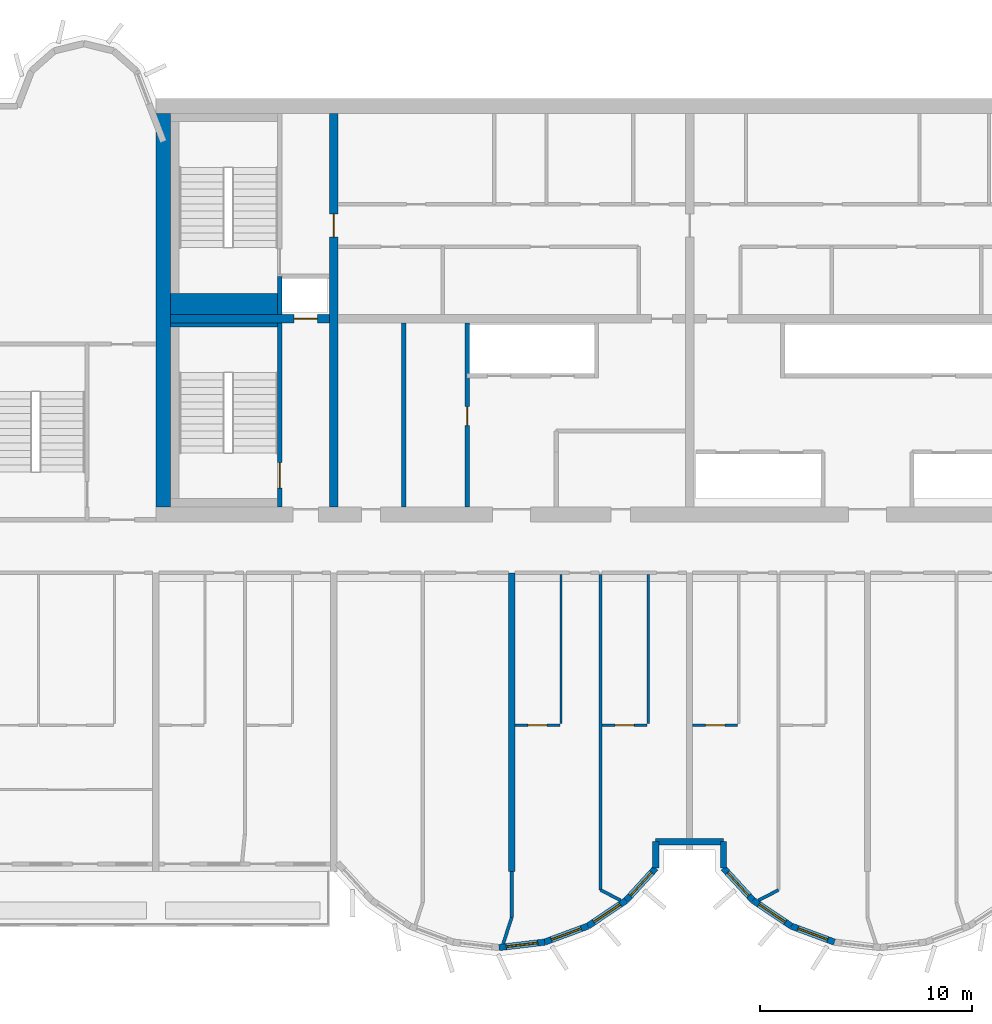
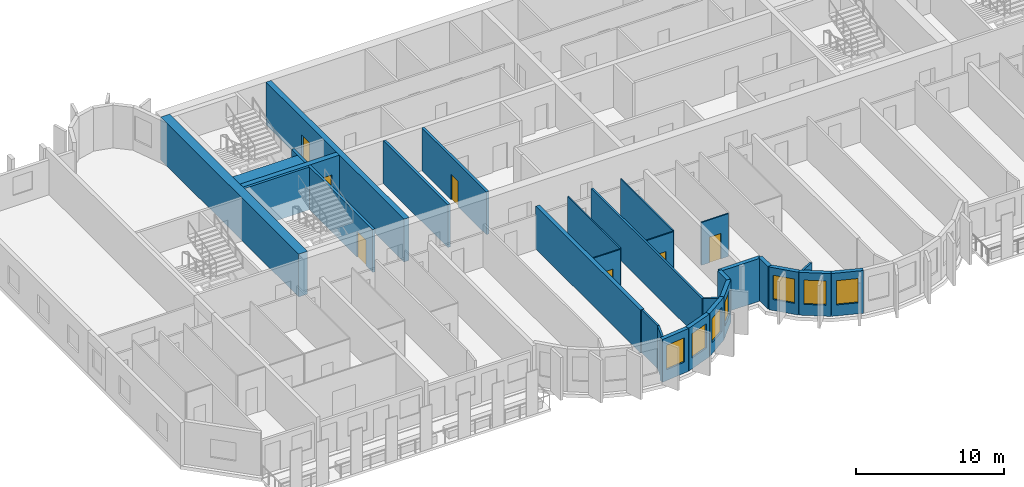
# One storey, part 4 of 13: 30 walls, 7 doors, 7 windows, 14 openings.
"""IFC4 building model written with IfcOpenShell, lengths in metres."""

from ifc_helpers import new_model, si_unit, direction, frame, frame_2d, origin, place, context, subcontext, project, spatial, rectangle, extrude, source, transform, mapped, material, layer, layer_set, type_object, element, fill, save


model = new_model("IFC4")

# Units and contexts
model_context = context("Model", 3, precision=1e-05, world=origin(), true_north=direction((0.0, 1.0)))
body_context = subcontext(model_context, "Body", "Model", "MODEL_VIEW")
ifc_project = project(units=[si_unit("LENGTHUNIT", "METRE"), si_unit("AREAUNIT", "SQUARE_METRE"), si_unit("VOLUMEUNIT", "CUBIC_METRE"), si_unit("PLANEANGLEUNIT", "RADIAN"), si_unit("MASSUNIT", "GRAM", prefix="KILO")], contexts=[model_context])

# Site, building, storey
site_placement = place(None, origin())
site = spatial("IfcSite", under=ifc_project, at=site_placement, CompositionType="ELEMENT")
building_placement = place(site_placement, origin())
building = spatial("IfcBuilding", under=site, at=building_placement, Name="Vanashikhar Sky Hotel", CompositionType="ELEMENT")
storey_placement = place(building_placement, frame((0.0, 0.0, 163.0)))
storey = spatial("IfcBuildingStorey", under=building, at=storey_placement, Name="L39", CompositionType="ELEMENT", Elevation=163.0)

# Wall, opening, door
ifc_material_1 = material(Name="Concrete M60", Category="concrete")
ifc_layer_1 = layer(ifc_material_1, 0.39990234375)
ifc_layer_set_1 = layer_set([ifc_layer_1], Name="RC core inner wall 400 Concrete M60")
wall_type_1 = type_object("IfcWallType", Name="RC core inner wall 400 Concrete M60", PredefinedType="SHEAR", material=ifc_layer_set_1)
shared_shape_1 = source(origin(), body_context, "Body", "SweptSolid", [
    extrude(rectangle(XDim=18.60009765625, YDim=0.39990234375, at=frame_2d((9.300048828125, 0.0))), origin(), (0.0, 0.0, 1.0), 3.52001953125),
])
wall_1_placement = place(storey_placement, frame((33.60009765625, 22.699951171875, 0.0), z_axis=(0.0, 0.0, 1.0), x_axis=(0.0, 1.0, 0.0)))
wall_1 = element("IfcWall", 1, at=wall_1_placement, inside=storey, type_object=wall_type_1, Name="KW-L39-KX1", PredefinedType="SHEAR", context=body_context, shape_type="MappedRepresentation", body=[
    mapped(shared_shape_1, transform((0.0, 0.0, 0.0), scale=1.0)),
])
shared_shape_2 = source(origin(), body_context, "Body", "SweptSolid", [
    extrude(rectangle(XDim=1.10009765625, YDim=2.10009765625, at=frame_2d((0.550048828125, 1.050048828125))), frame((0.0, 0.2099609375, 0.0), z_axis=(0.0, -1.0, 0.0), x_axis=(1.0, 0.0, 0.0)), (0.0, 0.0, 1.0), 0.419921875),
])
opening_1_placement = place(wall_1_placement, frame((12.75, 0.0, 0.0)))
opening_1 = element("IfcOpeningElement", 2, at=opening_1_placement, cuts=wall_1, Name="Opening DC-4-C", PredefinedType="OPENING", context=body_context, shape_type="MappedRepresentation", body=[
    mapped(shared_shape_2, transform((0.0, 0.0, 0.0), scale=1.0)),
])
ifc_material_2 = material(Name="Steel", Category="steel")
door_type_1 = type_object("IfcDoorType", Name="Service door 1100 FD60", OperationType="NOTDEFINED", PredefinedType="DOOR", material=ifc_material_2)
shared_shape_3 = source(origin(), body_context, "Body", "SweptSolid", [
    extrude(rectangle(XDim=1.10009765625, YDim=2.10009765625, at=frame_2d((0.550048828125, 1.050048828125))), frame((0.0, 0.02490234375, 0.0), z_axis=(0.0, -1.0, 0.0), x_axis=(1.0, 0.0, 0.0)), (0.0, 0.0, 1.0), 0.050048828125),
])
door_1_placement = place(opening_1_placement, origin())
door_1 = element("IfcDoor", 3, at=door_1_placement, inside=storey, type_object=door_type_1, Name="Service door 1100 FD60", OperationType="SINGLE_SWING_RIGHT", OverallHeight=2.10009765625, OverallWidth=1.10009765625, PredefinedType="DOOR", context=body_context, shape_type="MappedRepresentation", body=[
    mapped(shared_shape_3, transform((0.0, 0.0, 0.0), scale=1.0)),
])
fill(opening_1, door_1)

# Wall
ifc_layer_2 = layer(ifc_material_1, 0.699951171875)
ifc_layer_set_2 = layer_set([ifc_layer_2], Name="RC core shell wall 700 Concrete M60")
wall_type_2 = type_object("IfcWallType", Name="RC core shell wall 700 Concrete M60", PredefinedType="SHEAR", material=ifc_layer_set_2)
shared_shape_4 = source(origin(), body_context, "Body", "SweptSolid", [
    extrude(rectangle(XDim=18.60009765625, YDim=0.699951171875, at=frame_2d((9.300048828125, 0.0))), origin(), (0.0, 0.0, 1.0), 3.52001953125),
])
wall_2_placement = place(storey_placement, frame((25.550048828125, 22.699951171875, 0.0), z_axis=(0.0, 0.0, 1.0), x_axis=(0.0, 1.0, 0.0)))
element("IfcWall", 4, at=wall_2_placement, inside=storey, type_object=wall_type_2, Name="KW-L39-KW", PredefinedType="SHEAR", context=body_context, shape_type="MappedRepresentation", body=[
    mapped(shared_shape_4, transform((0.0, 0.0, 0.0), scale=1.0)),
])

# Wall, opening, door
shared_shape_5 = source(origin(), body_context, "Body", "SweptSolid", [
    extrude(rectangle(XDim=7.5, YDim=0.39990234375, at=frame_2d((3.75, 0.0))), origin(), (0.0, 0.0, 1.0), 3.52001953125),
])
wall_3_placement = place(storey_placement, frame((25.89990234375, 31.60009765625, 0.0), z_axis=(0.0, 0.0, 1.0), x_axis=(1.0, 0.0, 0.0)))
wall_3 = element("IfcWall", 5, at=wall_3_placement, inside=storey, type_object=wall_type_1, Name="KW-L39-KY1", PredefinedType="SHEAR", context=body_context, shape_type="MappedRepresentation", body=[
    mapped(shared_shape_5, transform((0.0, 0.0, 0.0), scale=1.0)),
])
opening_2_placement = place(wall_3_placement, frame((5.824951171875, 0.0, 0.0)))
opening_2 = element("IfcOpeningElement", 6, at=opening_2_placement, cuts=wall_3, Name="Opening LD", PredefinedType="OPENING", context=body_context, shape_type="MappedRepresentation", body=[
    mapped(shared_shape_2, transform((0.0, 0.0, 0.0), scale=1.0)),
])
ifc_material_3 = material(Name="Stainless steel", Category="steel")
door_type_2 = type_object("IfcDoorType", Name="Lift landing door 1100", OperationType="NOTDEFINED", PredefinedType="DOOR", material=ifc_material_3)
door_2_placement = place(opening_2_placement, origin())
door_2 = element("IfcDoor", 7, at=door_2_placement, inside=storey, type_object=door_type_2, Name="Lift landing door 1100", OperationType="SLIDING_TO_LEFT", OverallHeight=2.10009765625, OverallWidth=1.10009765625, PredefinedType="DOOR", context=body_context, shape_type="MappedRepresentation", body=[
    mapped(shared_shape_3, transform((0.0, 0.0, 0.0), scale=1.0)),
])
fill(opening_2, door_2)

# Wall
ifc_layer_3 = layer(ifc_material_1, 0.300048828125)
ifc_layer_set_3 = layer_set([ifc_layer_3], Name="RC shear wall 300 Concrete M60")
wall_type_3 = type_object("IfcWallType", Name="RC shear wall 300 Concrete M60", PredefinedType="SHEAR", material=ifc_layer_set_3)
shared_shape_6 = source(origin(), body_context, "Body", "SweptSolid", [
    extrude(rectangle(XDim=14.10009765625, YDim=0.300048828125, at=frame_2d((7.050048828125, 0.0))), origin(), (0.0, 0.0, 1.0), 3.52001953125),
])
wall_4_placement = place(storey_placement, frame((42.0, 5.5, 0.0), z_axis=(0.0, 0.0, 1.0), x_axis=(0.0, 1.0, 0.0)))
element("IfcWall", 8, at=wall_4_placement, inside=storey, type_object=wall_type_3, Name="CW-L39-XW06-1", PredefinedType="SHEAR", context=body_context, shape_type="MappedRepresentation", body=[
    mapped(shared_shape_6, transform((0.0, 0.0, 0.0), scale=1.0)),
])

# Wall, opening, window
ifc_material_4 = material(Name="Concrete M50", Category="concrete")
ifc_layer_4 = layer(ifc_material_4, 0.300048828125)
ifc_layer_set_4 = layer_set([ifc_layer_4], Name="Lobe wall 300")
wall_type_4 = type_object("IfcWallType", Name="Lobe wall 300", PredefinedType="SOLIDWALL", material=ifc_layer_set_4)
shared_shape_7 = source(origin(), body_context, "Body", "SweptSolid", [
    extrude(rectangle(XDim=2.17578125, YDim=0.300048828125, at=frame_2d((1.087890625, 0.0))), origin(), (0.0, 0.0, 1.0), 3.52001953125),
])
wall_5_placement = place(storey_placement, frame((45.59912109375, 2.91650390625, 0.0), z_axis=(0.0, 0.0, 1.0), x_axis=(0.829625727223, 0.558319937607, 0.0)))
wall_5 = element("IfcWall", 9, at=wall_5_placement, inside=storey, type_object=wall_type_4, Name="Lobe wall", PredefinedType="SOLIDWALL", context=body_context, shape_type="MappedRepresentation", body=[
    mapped(shared_shape_7, transform((0.0, 0.0, 0.0), scale=1.0)),
])
shared_shape_8 = source(origin(), body_context, "Body", "SweptSolid", [
    extrude(rectangle(XDim=1.5, YDim=2.0, at=frame_2d((0.75, 1.0))), frame((0.0, 0.16015625, 0.0), z_axis=(0.0, -1.0, 0.0), x_axis=(1.0, 0.0, 0.0)), (0.0, 0.0, 1.0), 0.320068359375),
])
opening_3_placement = place(wall_5_placement, frame((0.337890625, 0.0, 0.89990234375)))
opening_3 = element("IfcOpeningElement", 10, at=opening_3_placement, cuts=wall_5, Name="Opening WN-2", PredefinedType="OPENING", context=body_context, shape_type="MappedRepresentation", body=[
    mapped(shared_shape_8, transform((0.0, 0.0, 0.0), scale=1.0)),
])
ifc_material_5 = material(Name="Glass", Category="glass")
window_type = type_object("IfcWindowType", Name="Lobe window 1500 x 2000", PartitioningType="SINGLE_PANEL", PredefinedType="WINDOW", material=ifc_material_5)
shared_shape_9 = source(origin(), body_context, "Body", "SweptSolid", [
    extrude(rectangle(XDim=1.5, YDim=2.0, at=frame_2d((0.75, 1.0))), frame((0.0, 0.030029296875, 0.0), z_axis=(0.0, -1.0, 0.0), x_axis=(1.0, 0.0, 0.0)), (0.0, 0.0, 1.0), 0.06005859375),
])
window_1_placement = place(opening_3_placement, origin())
window_1 = element("IfcWindow", 11, at=window_1_placement, inside=storey, type_object=window_type, Name="Window WN-2", OverallHeight=2.0, OverallWidth=1.5, PartitioningType="SINGLE_PANEL", PredefinedType="WINDOW", context=body_context, shape_type="MappedRepresentation", body=[
    mapped(shared_shape_9, transform((0.0, 0.0, 0.0), scale=1.0)),
])
fill(opening_3, window_1)

wall_6_placement = place(storey_placement, frame((53.395751953125, 4.13134765625, 0.0), z_axis=(0.0, 0.0, 1.0), x_axis=(0.829590746428, -0.558371913192, 0.0)))
wall_6 = element("IfcWall", 12, at=wall_6_placement, inside=storey, type_object=wall_type_4, Name="Lobe wall", PredefinedType="SOLIDWALL", context=body_context, shape_type="MappedRepresentation", body=[
    mapped(shared_shape_7, transform((0.0, 0.0, 0.0), scale=1.0)),
])
opening_4_placement = place(wall_6_placement, frame((0.337890625, 0.0, 0.89990234375)))
opening_4 = element("IfcOpeningElement", 13, at=opening_4_placement, cuts=wall_6, Name="Opening WN-2", PredefinedType="OPENING", context=body_context, shape_type="MappedRepresentation", body=[
    mapped(shared_shape_8, transform((0.0, 0.0, 0.0), scale=1.0)),
])
window_2_placement = place(opening_4_placement, origin())
window_2 = element("IfcWindow", 14, at=window_2_placement, inside=storey, type_object=window_type, Name="Window WN-2", OverallHeight=2.0, OverallWidth=1.5, PartitioningType="SINGLE_PANEL", PredefinedType="WINDOW", context=body_context, shape_type="MappedRepresentation", body=[
    mapped(shared_shape_9, transform((0.0, 0.0, 0.0), scale=1.0)),
])
fill(opening_4, window_2)

wall_7_placement = place(storey_placement, frame((55.20068359375, 2.91650390625, 0.0), z_axis=(0.0, 0.0, 1.0), x_axis=(0.93754555999, -0.347862505801, 0.0)))
wall_7 = element("IfcWall", 15, at=wall_7_placement, inside=storey, type_object=wall_type_4, Name="Lobe wall", PredefinedType="SOLIDWALL", context=body_context, shape_type="MappedRepresentation", body=[
    mapped(shared_shape_7, transform((0.0, 0.0, 0.0), scale=1.0)),
])
opening_5_placement = place(wall_7_placement, frame((0.337890625, 0.0, 0.89990234375)))
opening_5 = element("IfcOpeningElement", 16, at=opening_5_placement, cuts=wall_7, Name="Opening WN-2", PredefinedType="OPENING", context=body_context, shape_type="MappedRepresentation", body=[
    mapped(shared_shape_8, transform((0.0, 0.0, 0.0), scale=1.0)),
])
window_3_placement = place(opening_5_placement, origin())
window_3 = element("IfcWindow", 17, at=window_3_placement, inside=storey, type_object=window_type, Name="Window WN-2", OverallHeight=2.0, OverallWidth=1.5, PartitioningType="SINGLE_PANEL", PredefinedType="WINDOW", context=body_context, shape_type="MappedRepresentation", body=[
    mapped(shared_shape_9, transform((0.0, 0.0, 0.0), scale=1.0)),
])
fill(opening_5, window_3)

shared_shape_10 = source(origin(), body_context, "Body", "SweptSolid", [
    extrude(rectangle(XDim=2.1748046875, YDim=0.300048828125, at=frame_2d((1.08740234375, 0.0))), origin(), (0.0, 0.0, 1.0), 3.52001953125),
])
wall_8_placement = place(storey_placement, frame((41.39990234375, 1.90283203125, 0.0), z_axis=(0.0, 0.0, 1.0), x_axis=(0.993002698611, 0.118091661648, 0.0)))
wall_8 = element("IfcWall", 18, at=wall_8_placement, inside=storey, type_object=wall_type_4, Name="Lobe wall", PredefinedType="SOLIDWALL", context=body_context, shape_type="MappedRepresentation", body=[
    mapped(shared_shape_10, transform((0.0, 0.0, 0.0), scale=1.0)),
])
opening_6_placement = place(wall_8_placement, frame((0.33740234375, 0.0, 0.89990234375)))
opening_6 = element("IfcOpeningElement", 19, at=opening_6_placement, cuts=wall_8, Name="Opening WN-2", PredefinedType="OPENING", context=body_context, shape_type="MappedRepresentation", body=[
    mapped(shared_shape_8, transform((0.0, 0.0, 0.0), scale=1.0)),
])
window_4_placement = place(opening_6_placement, origin())
window_4 = element("IfcWindow", 20, at=window_4_placement, inside=storey, type_object=window_type, Name="Window WN-2", OverallHeight=2.0, OverallWidth=1.5, PartitioningType="SINGLE_PANEL", PredefinedType="WINDOW", context=body_context, shape_type="MappedRepresentation", body=[
    mapped(shared_shape_9, transform((0.0, 0.0, 0.0), scale=1.0)),
])
fill(opening_6, window_4)

shared_shape_11 = source(origin(), body_context, "Body", "SweptSolid", [
    extrude(rectangle(XDim=2.175537109375, YDim=0.300048828125, at=frame_2d((1.087890625, 0.0))), origin(), (0.0, 0.0, 1.0), 3.52001953125),
])
wall_9_placement = place(storey_placement, frame((43.5595703125, 2.15966796875, 0.0), z_axis=(0.0, 0.0, 1.0), x_axis=(0.937531979054, 0.347899106424, 0.0)))
wall_9 = element("IfcWall", 21, at=wall_9_placement, inside=storey, type_object=wall_type_4, Name="Lobe wall", PredefinedType="SOLIDWALL", context=body_context, shape_type="MappedRepresentation", body=[
    mapped(shared_shape_11, transform((0.0, 0.0, 0.0), scale=1.0)),
])
opening_7_placement = place(wall_9_placement, frame((0.337890625, 0.0, 0.89990234375)))
opening_7 = element("IfcOpeningElement", 22, at=opening_7_placement, cuts=wall_9, Name="Opening WN-2", PredefinedType="OPENING", context=body_context, shape_type="MappedRepresentation", body=[
    mapped(shared_shape_8, transform((0.0, 0.0, 0.0), scale=1.0)),
])
window_5_placement = place(opening_7_placement, origin())
window_5 = element("IfcWindow", 23, at=window_5_placement, inside=storey, type_object=window_type, Name="Window WN-2", OverallHeight=2.0, OverallWidth=1.5, PartitioningType="SINGLE_PANEL", PredefinedType="WINDOW", context=body_context, shape_type="MappedRepresentation", body=[
    mapped(shared_shape_9, transform((0.0, 0.0, 0.0), scale=1.0)),
])
fill(opening_7, window_5)

shared_shape_12 = source(origin(), body_context, "Body", "SweptSolid", [
    extrude(rectangle(XDim=2.066650390625, YDim=0.300048828125, at=frame_2d((1.033203125, 0.0))), origin(), (0.0, 0.0, 1.0), 3.52001953125),
])
wall_10_placement = place(storey_placement, frame((47.404296875, 4.13134765625, 0.0), z_axis=(0.0, 0.0, 1.0), x_axis=(0.675355439877, 0.737492393065, 0.0)))
wall_10 = element("IfcWall", 24, at=wall_10_placement, inside=storey, type_object=wall_type_4, Name="Lobe wall", PredefinedType="SOLIDWALL", context=body_context, shape_type="MappedRepresentation", body=[
    mapped(shared_shape_12, transform((0.0, 0.0, 0.0), scale=1.0)),
])
opening_8_placement = place(wall_10_placement, frame((0.283447265625, 0.0, 0.89990234375)))
opening_8 = element("IfcOpeningElement", 25, at=opening_8_placement, cuts=wall_10, Name="Opening WN-2", PredefinedType="OPENING", context=body_context, shape_type="MappedRepresentation", body=[
    mapped(shared_shape_8, transform((0.0, 0.0, 0.0), scale=1.0)),
])
window_6_placement = place(opening_8_placement, origin())
window_6 = element("IfcWindow", 26, at=window_6_placement, inside=storey, type_object=window_type, Name="Window WN-2", OverallHeight=2.0, OverallWidth=1.5, PartitioningType="SINGLE_PANEL", PredefinedType="WINDOW", context=body_context, shape_type="MappedRepresentation", body=[
    mapped(shared_shape_9, transform((0.0, 0.0, 0.0), scale=1.0)),
])
fill(opening_8, window_6)

wall_11_placement = place(storey_placement, frame((52.0, 5.655517578125, 0.0), z_axis=(0.0, 0.0, 1.0), x_axis=(0.675355439877, -0.737492393065, 0.0)))
wall_11 = element("IfcWall", 27, at=wall_11_placement, inside=storey, type_object=wall_type_4, Name="Lobe wall", PredefinedType="SOLIDWALL", context=body_context, shape_type="MappedRepresentation", body=[
    mapped(shared_shape_12, transform((0.0, 0.0, 0.0), scale=1.0)),
])
opening_9_placement = place(wall_11_placement, frame((0.283447265625, 0.0, 0.89990234375)))
opening_9 = element("IfcOpeningElement", 28, at=opening_9_placement, cuts=wall_11, Name="Opening WN-2", PredefinedType="OPENING", context=body_context, shape_type="MappedRepresentation", body=[
    mapped(shared_shape_8, transform((0.0, 0.0, 0.0), scale=1.0)),
])
window_7_placement = place(opening_9_placement, origin())
window_7 = element("IfcWindow", 29, at=window_7_placement, inside=storey, type_object=window_type, Name="Window WN-2", OverallHeight=2.0, OverallWidth=1.5, PartitioningType="SINGLE_PANEL", PredefinedType="WINDOW", context=body_context, shape_type="MappedRepresentation", body=[
    mapped(shared_shape_9, transform((0.0, 0.0, 0.0), scale=1.0)),
])
fill(opening_9, window_7)

# Walls
shared_shape_13 = source(origin(), body_context, "Body", "SweptSolid", [
    extrude(rectangle(XDim=1.244384765625, YDim=0.300048828125, at=frame_2d((0.6220703125, 0.0))), origin(), (0.0, 0.0, 1.0), 3.52001953125),
])
for number, where, z_axis, x_axis, name in (
    (30, (48.800048828125, 5.655517578125, 0.0), (0.0, 0.0, 1.0), (0.0, 1.0, 0.0), "Groove wall"),
    (31, (52.0, 6.89990234375, 0.0), (0.0, 0.0, 1.0), (0.0, -1.0, 0.0), "Groove wall"),
):
    element("IfcWall", number, at=place(storey_placement, frame(where, z_axis=z_axis, x_axis=x_axis)), inside=storey, type_object=wall_type_4, Name=name, PredefinedType="SOLIDWALL", context=body_context, shape_type="MappedRepresentation", body=[
        mapped(shared_shape_13, transform((0.0, 0.0, 0.0), scale=1.0)),
    ])
shared_shape_14 = source(origin(), body_context, "Body", "SweptSolid", [
    extrude(rectangle(XDim=3.199951171875, YDim=0.300048828125, at=frame_2d((1.60009765625, 0.0))), origin(), (0.0, 0.0, 1.0), 3.52001953125),
])
wall_12_placement = place(storey_placement, frame((48.800048828125, 6.89990234375, 0.0), z_axis=(0.0, 0.0, 1.0), x_axis=(1.0, 0.0, 0.0)))
element("IfcWall", 32, at=wall_12_placement, inside=storey, type_object=wall_type_4, Name="Groove wall", PredefinedType="SOLIDWALL", context=body_context, shape_type="MappedRepresentation", body=[
    mapped(shared_shape_14, transform((0.0, 0.0, 0.0), scale=1.0)),
])

# Wall, opening, door
ifc_material_6 = material(Name="Gypsum board partition")
ifc_layer_5 = layer(ifc_material_6, 0.14990234375)
ifc_layer_set_5 = layer_set([ifc_layer_5], Name="Service partition 150")
wall_type_5 = type_object("IfcWallType", Name="Service partition 150", PredefinedType="PARTITIONING", material=ifc_layer_set_5)
shared_shape_15 = source(origin(), body_context, "Body", "SweptSolid", [
    extrude(rectangle(XDim=8.699951171875, YDim=0.199951171875, at=frame_2d((4.35009765625, 0.0))), origin(), (0.0, 0.0, 1.0), 3.52001953125),
])
wall_13_placement = place(storey_placement, frame((39.89990234375, 22.699951171875, 0.0), z_axis=(0.0, 0.0, 1.0), x_axis=(0.0, 1.0, 0.0)))
wall_13 = element("IfcWall", 33, at=wall_13_placement, inside=storey, type_object=wall_type_5, Name="Service partition 150", PredefinedType="PARTITIONING", context=body_context, shape_type="MappedRepresentation", body=[
    mapped(shared_shape_15, transform((0.0, 0.0, 0.0), scale=1.0)),
])
shared_shape_16 = source(origin(), body_context, "Body", "SweptSolid", [
    extrude(rectangle(XDim=0.89990234375, YDim=2.10009765625, at=frame_2d((0.449951171875, 1.050048828125))), frame((0.0, 0.10986328125, 0.0), z_axis=(0.0, -1.0, 0.0), x_axis=(1.0, 0.0, 0.0)), (0.0, 0.0, 1.0), 0.219970703125),
])
opening_10_placement = place(wall_13_placement, frame((3.85009765625, 0.0, 0.0)))
opening_10 = element("IfcOpeningElement", 34, at=opening_10_placement, cuts=wall_13, Name="Opening DC-4-A", PredefinedType="OPENING", context=body_context, shape_type="MappedRepresentation", body=[
    mapped(shared_shape_16, transform((0.0, 0.0, 0.0), scale=1.0)),
])
door_type_3 = type_object("IfcDoorType", Name="Service door 900 FD60", OperationType="NOTDEFINED", PredefinedType="DOOR", material=ifc_material_2)
shared_shape_17 = source(origin(), body_context, "Body", "SweptSolid", [
    extrude(rectangle(XDim=0.89990234375, YDim=2.10009765625, at=frame_2d((0.449951171875, 1.050048828125))), frame((0.0, 0.02490234375, 0.0), z_axis=(0.0, -1.0, 0.0), x_axis=(1.0, 0.0, 0.0)), (0.0, 0.0, 1.0), 0.050048828125),
])
door_3_placement = place(opening_10_placement, origin())
door_3 = element("IfcDoor", 35, at=door_3_placement, inside=storey, type_object=door_type_3, Name="Service door 900 FD60", OperationType="SINGLE_SWING_LEFT", OverallHeight=2.10009765625, OverallWidth=0.89990234375, PredefinedType="DOOR", context=body_context, shape_type="MappedRepresentation", body=[
    mapped(shared_shape_17, transform((0.0, 0.0, 0.0), scale=1.0)),
])
fill(opening_10, door_3)

# Wall
wall_14_placement = place(storey_placement, frame((36.89990234375, 22.699951171875, 0.0), z_axis=(0.0, 0.0, 1.0), x_axis=(0.0, 1.0, 0.0)))
element("IfcWall", 36, at=wall_14_placement, inside=storey, type_object=wall_type_5, Name="Service partition 150", PredefinedType="PARTITIONING", context=body_context, shape_type="MappedRepresentation", body=[
    mapped(shared_shape_15, transform((0.0, 0.0, 0.0), scale=1.0)),
])

# Wall, opening, door
ifc_layer_6 = layer(ifc_material_4, 0.199951171875)
ifc_layer_set_6 = layer_set([ifc_layer_6], Name="Stair wall 200")
wall_type_6 = type_object("IfcWallType", Name="Stair wall 200", PredefinedType="SOLIDWALL", material=ifc_layer_set_6)
shared_shape_18 = source(origin(), body_context, "Body", "SweptSolid", [
    extrude(rectangle(XDim=8.699951171875, YDim=0.199951171875, at=frame_2d((4.35009765625, 0.0))), origin(), (0.0, 0.0, 1.0), 3.52001953125),
])
wall_15_placement = place(storey_placement, frame((31.050048828125, 22.699951171875, 0.0), z_axis=(0.0, 0.0, 1.0), x_axis=(0.0, 1.0, 0.0)))
wall_15 = element("IfcWall", 37, at=wall_15_placement, inside=storey, type_object=wall_type_6, Name="Stair wall 200", PredefinedType="SOLIDWALL", context=body_context, shape_type="MappedRepresentation", body=[
    mapped(shared_shape_18, transform((0.0, 0.0, 0.0), scale=1.0)),
])
shared_shape_19 = source(origin(), body_context, "Body", "SweptSolid", [
    extrude(rectangle(XDim=1.199951171875, YDim=2.10009765625, at=frame_2d((0.60009765625, 1.050048828125))), frame((0.0, 0.10986328125, 0.0), z_axis=(0.0, -1.0, 0.0), x_axis=(1.0, 0.0, 0.0)), (0.0, 0.0, 1.0), 0.219970703125),
])
opening_11_placement = place(wall_15_placement, frame((0.89990234375, 0.0, 0.0)))
opening_11 = element("IfcOpeningElement", 38, at=opening_11_placement, cuts=wall_15, Name="Opening DC-1", PredefinedType="OPENING", context=body_context, shape_type="MappedRepresentation", body=[
    mapped(shared_shape_19, transform((0.0, 0.0, 0.0), scale=1.0)),
])
door_type_4 = type_object("IfcDoorType", Name="Stair door 1200 FD120", OperationType="NOTDEFINED", PredefinedType="DOOR", material=ifc_material_2)
shared_shape_20 = source(origin(), body_context, "Body", "SweptSolid", [
    extrude(rectangle(XDim=1.199951171875, YDim=2.10009765625, at=frame_2d((0.60009765625, 1.050048828125))), frame((0.0, 0.02490234375, 0.0), z_axis=(0.0, -1.0, 0.0), x_axis=(1.0, 0.0, 0.0)), (0.0, 0.0, 1.0), 0.050048828125),
])
door_4_placement = place(opening_11_placement, origin())
door_4 = element("IfcDoor", 39, at=door_4_placement, inside=storey, type_object=door_type_4, Name="Stair door 1200 FD120", OperationType="SINGLE_SWING_LEFT", OverallHeight=2.10009765625, OverallWidth=1.199951171875, PredefinedType="DOOR", context=body_context, shape_type="MappedRepresentation", body=[
    mapped(shared_shape_20, transform((0.0, 0.0, 0.0), scale=1.0)),
])
fill(opening_11, door_4)

# Walls
ifc_material_7 = material(Name="Concrete M40", Category="concrete")
ifc_layer_7 = layer(ifc_material_7, 0.199951171875)
ifc_layer_set_7 = layer_set([ifc_layer_7], Name="Shaft wall 200")
wall_type_7 = type_object("IfcWallType", Name="Shaft wall 200", PredefinedType="SOLIDWALL", material=ifc_layer_set_7)
shared_shape_21 = source(origin(), body_context, "Body", "SweptSolid", [
    extrude(rectangle(XDim=1.800048828125, YDim=0.199951171875, at=frame_2d((0.89990234375, 0.0))), origin(), (0.0, 0.0, 1.0), 3.52001953125),
])
wall_16_placement = place(storey_placement, frame((31.050048828125, 31.800048828125, 0.0), z_axis=(0.0, 0.0, 1.0), x_axis=(0.0, 1.0, 0.0)))
element("IfcWall", 40, at=wall_16_placement, inside=storey, type_object=wall_type_7, Name="Shaft wall 200", PredefinedType="SOLIDWALL", context=body_context, shape_type="MappedRepresentation", body=[
    mapped(shared_shape_21, transform((0.0, 0.0, 0.0), scale=1.0)),
])
ifc_layer_8 = layer(ifc_material_4, 0.199951171875)
ifc_layer_set_8 = layer_set([ifc_layer_8], Name="Stair infill wall 200")
wall_type_8 = type_object("IfcWallType", Name="Stair infill wall 200", PredefinedType="SOLIDWALL", material=ifc_layer_set_8)
shared_shape_22 = source(origin(), body_context, "Body", "SweptSolid", [
    extrude(rectangle(XDim=5.050048828125, YDim=0.199951171875, at=frame_2d((2.52490234375, 0.0))), origin(), (0.0, 0.0, 1.0), 3.52001953125),
])
wall_17_placement = place(storey_placement, frame((25.89990234375, 31.300048828125, 0.0), z_axis=(0.0, 0.0, 1.0), x_axis=(1.0, 0.0, 0.0)))
element("IfcWall", 41, at=wall_17_placement, inside=storey, type_object=wall_type_8, Name="Stair infill wall 200", PredefinedType="SOLIDWALL", context=body_context, shape_type="MappedRepresentation", body=[
    mapped(shared_shape_22, transform((0.0, 0.0, 0.0), scale=1.0)),
])
ifc_layer_9 = layer(ifc_material_4, 1.0)
ifc_layer_set_9 = layer_set([ifc_layer_9], Name="Stair infill wall 1000")
wall_type_9 = type_object("IfcWallType", Name="Stair infill wall 1000", PredefinedType="SOLIDWALL", material=ifc_layer_set_9)
shared_shape_23 = source(origin(), body_context, "Body", "SweptSolid", [
    extrude(rectangle(XDim=5.050048828125, YDim=1.0, at=frame_2d((2.52490234375, 0.0))), origin(), (0.0, 0.0, 1.0), 3.52001953125),
])
wall_18_placement = place(storey_placement, frame((25.89990234375, 32.300048828125, 0.0), z_axis=(0.0, 0.0, 1.0), x_axis=(1.0, 0.0, 0.0)))
element("IfcWall", 42, at=wall_18_placement, inside=storey, type_object=wall_type_9, Name="Stair infill wall 1000", PredefinedType="SOLIDWALL", context=body_context, shape_type="MappedRepresentation", body=[
    mapped(shared_shape_23, transform((0.0, 0.0, 0.0), scale=1.0)),
])
ifc_material_8 = material(Name="Gypsum plasterboard partition")
ifc_layer_10 = layer(ifc_material_8, 0.10009765625)
ifc_layer_set_10 = layer_set([ifc_layer_10], Name="Wet room partition 100")
wall_type_10 = type_object("IfcWallType", Name="Wet room partition 100", PredefinedType="PARTITIONING", material=ifc_layer_set_10)
shared_shape_24 = source(origin(), body_context, "Body", "SweptSolid", [
    extrude(rectangle(XDim=7.0498046875, YDim=0.10009765625, at=frame_2d((3.52490234375, 0.0))), origin(), (0.0, 0.0, 1.0), 3.52001953125),
])
for number, where, z_axis, x_axis, name in (
    (43, (44.324951171875, 12.47509765625, 0.0), (0.0, 0.0, 1.0), (0.0, 1.0, 0.0), "W-L39-PW024"),
    (44, (48.449951171875, 12.47509765625, 0.0), (0.0, 0.0, 1.0), (0.0, 1.0, 0.0), "W-L39-PW027"),
):
    element("IfcWall", number, at=place(storey_placement, frame(where, z_axis=z_axis, x_axis=x_axis)), inside=storey, type_object=wall_type_10, Name=name, PredefinedType="PARTITIONING", context=body_context, shape_type="MappedRepresentation", body=[
        mapped(shared_shape_24, transform((0.0, 0.0, 0.0), scale=1.0)),
    ])
ifc_layer_11 = layer(ifc_material_8, 0.14990234375)
ifc_layer_set_11 = layer_set([ifc_layer_11], Name="Corridor and demising partition 150")
wall_type_11 = type_object("IfcWallType", Name="Corridor and demising partition 150", PredefinedType="PARTITIONING", material=ifc_layer_set_11)
shared_shape_25 = source(origin(), body_context, "Body", "SweptSolid", [
    extrude(rectangle(XDim=2.177978515625, YDim=0.14990234375, at=frame_2d((1.0888671875, 0.0))), origin(), (0.0, 0.0, 1.0), 3.52001953125),
])
wall_19_placement = place(storey_placement, frame((42.0, 3.322021484375, 0.0), z_axis=(0.0, 0.0, 1.0), x_axis=(0.0, 1.0, 0.0)))
element("IfcWall", 45, at=wall_19_placement, inside=storey, type_object=wall_type_11, Name="W-L39-PW057", PredefinedType="PARTITIONING", context=body_context, shape_type="MappedRepresentation", body=[
    mapped(shared_shape_25, transform((0.0, 0.0, 0.0), scale=1.0)),
])
shared_shape_26 = source(origin(), body_context, "Body", "SweptSolid", [
    extrude(rectangle(XDim=1.0576171875, YDim=0.14990234375, at=frame_2d((0.52880859375, 0.0))), origin(), (0.0, 0.0, 1.0), 3.52001953125),
])
wall_20_placement = place(storey_placement, frame((47.139892578125, 4.134033203125, 0.0), z_axis=(0.0, 0.0, 1.0), x_axis=(-0.888723819054, 0.458442988218, 0.0)))
element("IfcWall", 46, at=wall_20_placement, inside=storey, type_object=wall_type_11, Name="W-L39-PW030B0", PredefinedType="PARTITIONING", context=body_context, shape_type="MappedRepresentation", body=[
    mapped(shared_shape_26, transform((0.0, 0.0, 0.0), scale=1.0)),
])
shared_shape_27 = source(origin(), body_context, "Body", "SweptSolid", [
    extrude(rectangle(XDim=1.057861328125, YDim=0.14990234375, at=frame_2d((0.52880859375, 0.0))), origin(), (0.0, 0.0, 1.0), 3.52001953125),
])
wall_21_placement = place(storey_placement, frame((53.659912109375, 4.134033203125, 0.0), z_axis=(0.0, 0.0, 1.0), x_axis=(0.888772319209, 0.458348955063, 0.0)))
element("IfcWall", 47, at=wall_21_placement, inside=storey, type_object=wall_type_11, Name="W-L39-PW037B0", PredefinedType="PARTITIONING", context=body_context, shape_type="MappedRepresentation", body=[
    mapped(shared_shape_27, transform((0.0, 0.0, 0.0), scale=1.0)),
])
shared_shape_28 = source(origin(), body_context, "Body", "SweptSolid", [
    extrude(rectangle(XDim=1.308349609375, YDim=0.14990234375, at=frame_2d((0.654296875, 0.0))), origin(), (0.0, 0.0, 1.0), 3.52001953125),
])
wall_22_placement = place(storey_placement, frame((41.597900390625, 2.076904296875, 0.0), z_axis=(0.0, 0.0, 1.0), x_axis=(0.307313512187, 0.951608325535, 0.0)))
element("IfcWall", 48, at=wall_22_placement, inside=storey, type_object=wall_type_11, Name="W-L39-PW057B0", PredefinedType="PARTITIONING", context=body_context, shape_type="MappedRepresentation", body=[
    mapped(shared_shape_28, transform((0.0, 0.0, 0.0), scale=1.0)),
])
shared_shape_29 = source(origin(), body_context, "Body", "SweptSolid", [
    extrude(rectangle(XDim=14.906005859375, YDim=0.14990234375, at=frame_2d((7.453125, 0.0))), origin(), (0.0, 0.0, 1.0), 3.52001953125),
])
wall_23_placement = place(storey_placement, frame((46.199951171875, 4.618896484375, 0.0), z_axis=(0.0, 0.0, 1.0), x_axis=(0.0, 1.0, 0.0)))
element("IfcWall", 49, at=wall_23_placement, inside=storey, type_object=wall_type_11, Name="W-L39-PW030", PredefinedType="PARTITIONING", context=body_context, shape_type="MappedRepresentation", body=[
    mapped(shared_shape_29, transform((0.0, 0.0, 0.0), scale=1.0)),
])

# Wall, opening, door
shared_shape_30 = source(origin(), body_context, "Body", "SweptSolid", [
    extrude(rectangle(XDim=2.125, YDim=0.10009765625, at=frame_2d((1.0625, 0.0))), origin(), (0.0, 0.0, 1.0), 3.52001953125),
])
wall_24_placement = place(storey_placement, frame((42.14990234375, 12.39990234375, 0.0), z_axis=(0.0, 0.0, 1.0), x_axis=(1.0, 0.0, 0.0)))
wall_24 = element("IfcWall", 50, at=wall_24_placement, inside=storey, type_object=wall_type_10, Name="W-L39-PW025", PredefinedType="PARTITIONING", context=body_context, shape_type="MappedRepresentation", body=[
    mapped(shared_shape_30, transform((0.0, 0.0, 0.0), scale=1.0)),
])
shared_shape_31 = source(origin(), body_context, "Body", "SweptSolid", [
    extrude(rectangle(XDim=0.89990234375, YDim=2.10009765625, at=frame_2d((0.449951171875, 1.050048828125))), frame((0.0, 0.06005859375, 0.0), z_axis=(0.0, -1.0, 0.0), x_axis=(1.0, 0.0, 0.0)), (0.0, 0.0, 1.0), 0.1201171875),
])
opening_12_placement = place(wall_24_placement, frame((0.613037109375, 0.0, 0.0)))
opening_12 = element("IfcOpeningElement", 51, at=opening_12_placement, cuts=wall_24, Name="Opening D-02", PredefinedType="OPENING", context=body_context, shape_type="MappedRepresentation", body=[
    mapped(shared_shape_31, transform((0.0, 0.0, 0.0), scale=1.0)),
])
ifc_material_9 = material(Name="Timber door", Category="wood")
door_type_5 = type_object("IfcDoorType", Name="Internal door 900", OperationType="NOTDEFINED", PredefinedType="DOOR", material=ifc_material_9)
door_5_placement = place(opening_12_placement, origin())
door_5 = element("IfcDoor", 52, at=door_5_placement, inside=storey, type_object=door_type_5, Name="D-L39-015", OperationType="SINGLE_SWING_RIGHT", OverallHeight=2.10009765625, OverallWidth=0.89990234375, PredefinedType="DOOR", context=body_context, shape_type="MappedRepresentation", body=[
    mapped(shared_shape_17, transform((0.0, 0.0, 0.0), scale=1.0)),
])
fill(opening_12, door_5)

wall_25_placement = place(storey_placement, frame((46.27490234375, 12.39990234375, 0.0), z_axis=(0.0, 0.0, 1.0), x_axis=(1.0, 0.0, 0.0)))
wall_25 = element("IfcWall", 53, at=wall_25_placement, inside=storey, type_object=wall_type_10, Name="W-L39-PW028", PredefinedType="PARTITIONING", context=body_context, shape_type="MappedRepresentation", body=[
    mapped(shared_shape_30, transform((0.0, 0.0, 0.0), scale=1.0)),
])
opening_13_placement = place(wall_25_placement, frame((0.613037109375, 0.0, 0.0)))
opening_13 = element("IfcOpeningElement", 54, at=opening_13_placement, cuts=wall_25, Name="Opening D-02", PredefinedType="OPENING", context=body_context, shape_type="MappedRepresentation", body=[
    mapped(shared_shape_31, transform((0.0, 0.0, 0.0), scale=1.0)),
])
door_6_placement = place(opening_13_placement, origin())
door_6 = element("IfcDoor", 55, at=door_6_placement, inside=storey, type_object=door_type_5, Name="D-L39-017", OperationType="SINGLE_SWING_RIGHT", OverallHeight=2.10009765625, OverallWidth=0.89990234375, PredefinedType="DOOR", context=body_context, shape_type="MappedRepresentation", body=[
    mapped(shared_shape_17, transform((0.0, 0.0, 0.0), scale=1.0)),
])
fill(opening_13, door_6)

wall_26_placement = place(storey_placement, frame((50.550048828125, 12.39990234375, 0.0), z_axis=(0.0, 0.0, 1.0), x_axis=(1.0, 0.0, 0.0)))
wall_26 = element("IfcWall", 56, at=wall_26_placement, inside=storey, type_object=wall_type_10, Name="W-L39-PW032", PredefinedType="PARTITIONING", context=body_context, shape_type="MappedRepresentation", body=[
    mapped(shared_shape_30, transform((0.0, 0.0, 0.0), scale=1.0)),
])
opening_14_placement = place(wall_26_placement, frame((0.612060546875, 0.0, 0.0)))
opening_14 = element("IfcOpeningElement", 57, at=opening_14_placement, cuts=wall_26, Name="Opening D-02", PredefinedType="OPENING", context=body_context, shape_type="MappedRepresentation", body=[
    mapped(shared_shape_31, transform((0.0, 0.0, 0.0), scale=1.0)),
])
door_7_placement = place(opening_14_placement, origin())
door_7 = element("IfcDoor", 58, at=door_7_placement, inside=storey, type_object=door_type_5, Name="D-L39-019", OperationType="SINGLE_SWING_RIGHT", OverallHeight=2.10009765625, OverallWidth=0.89990234375, PredefinedType="DOOR", context=body_context, shape_type="MappedRepresentation", body=[
    mapped(shared_shape_17, transform((0.0, 0.0, 0.0), scale=1.0)),
])
fill(opening_14, door_7)

save(model, "model.ifc")
